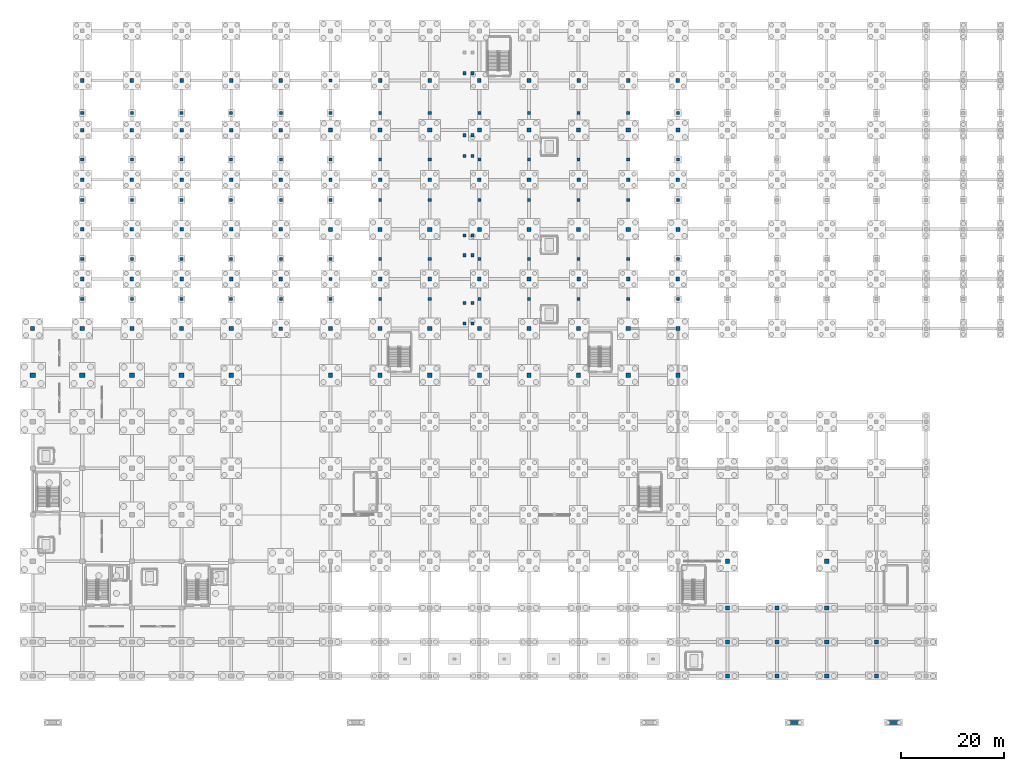
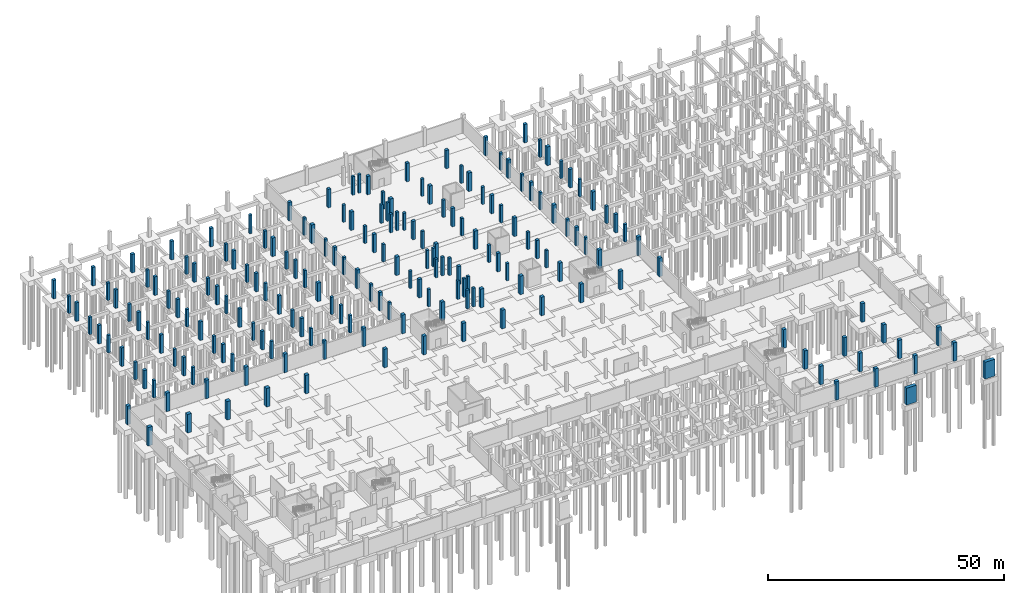
# One storey, part 19 of 39: 186 columns.
"""IFC4 building model written with IfcOpenShell, lengths in metres."""

from ifc_helpers import new_model, si_unit, direction, frame, origin, origin_2d, place, context, subcontext, project, spatial, rectangle, extrude, material, material_profile, profile_set, type_object, element, save


model = new_model("IFC4")

# Units and contexts
model_context = context("Model", 3, precision=1e-05, world=origin(), true_north=direction((0.0, 1.0)))
body_context = subcontext(model_context, "Body", "Model", "MODEL_VIEW")
ifc_project = project(units=[si_unit("LENGTHUNIT", "METRE"), si_unit("AREAUNIT", "SQUARE_METRE"), si_unit("VOLUMEUNIT", "CUBIC_METRE"), si_unit("PLANEANGLEUNIT", "RADIAN"), si_unit("MASSUNIT", "GRAM", prefix="KILO")], contexts=[model_context])

# Site, building, storey
site_placement = place(None, origin())
site = spatial("IfcSite", under=ifc_project, at=site_placement, CompositionType="ELEMENT")
building_placement = place(site_placement, origin())
building = spatial("IfcBuilding", under=site, at=building_placement, Name="Zarnetskaya Central Station", CompositionType="ELEMENT")
storey_placement = place(building_placement, frame((0.0, 0.0, -4.800048828125)))
storey = spatial("IfcBuildingStorey", under=building, at=storey_placement, Name="B1", CompositionType="ELEMENT", Elevation=-4.800048828125)

# Columns
ifc_material = material(Name="Concrete C35/45", Category="concrete")
ifc_material_profile_1 = material_profile(ifc_material, rectangle(XDim=1.0, YDim=0.800048828125, at=origin_2d()), Name="RC PIER 1000x800")
ifc_profile_set_1 = profile_set([ifc_material_profile_1], Name="Concrete C35/45")
column_type_1 = type_object("IfcColumnType", Name="COL-B1-PIER1", PredefinedType="COLUMN", material=ifc_profile_set_1)
for number, where, z_axis, x_axis, name in (
    (1, (0.0, 58.199951171875, 0.0), (0.0, 0.0, 1.0), (1.0, 0.0, 0.0), "Column A8 B1"),
    (2, (9.60009765625, 58.199951171875, 0.0), (0.0, 0.0, 1.0), (1.0, 0.0, 0.0), "Column B8 B1"),
):
    element("IfcColumn", number, at=place(storey_placement, frame(where, z_axis=z_axis, x_axis=x_axis)), inside=storey, type_object=column_type_1, Name=name, PredefinedType="COLUMN", context=body_context, shape_type="SweptSolid", body=[
        extrude(rectangle(XDim=1.0, YDim=0.800048828125, at=origin_2d()), origin(), (0.0, 0.0, 1.0), 4.800048828125),
    ])
ifc_material_profile_2 = material_profile(ifc_material, rectangle(XDim=0.89990234375, YDim=0.89990234375, at=origin_2d()), Name="RC 900x900")
ifc_profile_set_2 = profile_set([ifc_material_profile_2], Name="Concrete C35/45")
column_type_2 = type_object("IfcColumnType", Name="COL-B1-PIER2", PredefinedType="COLUMN", material=ifc_profile_set_2)
for number, where, z_axis, x_axis, name in (
    (3, (19.199951171875, 58.199951171875, 0.0), (0.0, 0.0, 1.0), (1.0, 0.0, 0.0), "Column C8 B1"),
    (4, (28.800048828125, 58.199951171875, 0.0), (0.0, 0.0, 1.0), (1.0, 0.0, 0.0), "Column D8 B1"),
):
    element("IfcColumn", number, at=place(storey_placement, frame(where, z_axis=z_axis, x_axis=x_axis)), inside=storey, type_object=column_type_2, Name=name, PredefinedType="COLUMN", context=body_context, shape_type="SweptSolid", body=[
        extrude(rectangle(XDim=0.89990234375, YDim=0.89990234375, at=origin_2d()), origin(), (0.0, 0.0, 1.0), 4.800048828125),
    ])
ifc_material_profile_3 = material_profile(ifc_material, rectangle(XDim=0.800048828125, YDim=0.800048828125, at=origin_2d()), Name="RC 800x800")
ifc_profile_set_3 = profile_set([ifc_material_profile_3], Name="Concrete C35/45")
column_type_3 = type_object("IfcColumnType", Name="COL-B1-PIER3", PredefinedType="COLUMN", material=ifc_profile_set_3)
for number, where, z_axis, x_axis, name in (
    (5, (0.0, 67.199951171875, 0.0), (0.0, 0.0, 1.0), (1.0, 0.0, 0.0), "Column A9 B1"),
    (6, (9.60009765625, 67.199951171875, 0.0), (0.0, 0.0, 1.0), (1.0, 0.0, 0.0), "Column B9 B1"),
    (7, (19.199951171875, 67.199951171875, 0.0), (0.0, 0.0, 1.0), (1.0, 0.0, 0.0), "Column C9 B1"),
    (8, (28.800048828125, 67.199951171875, 0.0), (0.0, 0.0, 1.0), (1.0, 0.0, 0.0), "Column D9 B1"),
    (9, (38.39990234375, 58.199951171875, 0.0), (0.0, 0.0, 1.0), (1.0, 0.0, 0.0), "Column E8 B1"),
    (10, (38.39990234375, 67.199951171875, 0.0), (0.0, 0.0, 1.0), (1.0, 0.0, 0.0), "Column E9 B1"),
    (11, (57.60009765625, 58.199951171875, 0.0), (0.0, 0.0, 1.0), (1.0, 0.0, 0.0), "Column G8 B1"),
    (12, (57.60009765625, 67.199951171875, 0.0), (0.0, 0.0, 1.0), (1.0, 0.0, 0.0), "Column G9 B1"),
    (13, (57.60009765625, 86.39990234375, 0.0), (0.0, 0.0, 1.0), (1.0, 0.0, 0.0), "Column G11 B1"),
    (14, (57.60009765625, 105.60009765625, 0.0), (0.0, 0.0, 1.0), (1.0, 0.0, 0.0), "Column G13 B1"),
    (15, (67.199951171875, 58.199951171875, 0.0), (0.0, 0.0, 1.0), (1.0, 0.0, 0.0), "Column H8 B1"),
    (16, (67.199951171875, 67.199951171875, 0.0), (0.0, 0.0, 1.0), (1.0, 0.0, 0.0), "Column H9 B1"),
    (17, (67.199951171875, 86.39990234375, 0.0), (0.0, 0.0, 1.0), (1.0, 0.0, 0.0), "Column H11 B1"),
    (18, (67.199951171875, 105.60009765625, 0.0), (0.0, 0.0, 1.0), (1.0, 0.0, 0.0), "Column H13 B1"),
    (19, (76.800048828125, 58.199951171875, 0.0), (0.0, 0.0, 1.0), (1.0, 0.0, 0.0), "Column J8 B1"),
    (20, (76.800048828125, 67.199951171875, 0.0), (0.0, 0.0, 1.0), (1.0, 0.0, 0.0), "Column J9 B1"),
    (21, (76.800048828125, 86.39990234375, 0.0), (0.0, 0.0, 1.0), (1.0, 0.0, 0.0), "Column J11 B1"),
    (22, (76.800048828125, 105.60009765625, 0.0), (0.0, 0.0, 1.0), (1.0, 0.0, 0.0), "Column J13 B1"),
    (23, (86.39990234375, 58.199951171875, 0.0), (0.0, 0.0, 1.0), (1.0, 0.0, 0.0), "Column K8 B1"),
    (24, (86.39990234375, 67.199951171875, 0.0), (0.0, 0.0, 1.0), (1.0, 0.0, 0.0), "Column K9 B1"),
    (25, (86.39990234375, 86.39990234375, 0.0), (0.0, 0.0, 1.0), (1.0, 0.0, 0.0), "Column K11 B1"),
    (26, (86.39990234375, 105.60009765625, 0.0), (0.0, 0.0, 1.0), (1.0, 0.0, 0.0), "Column K13 B1"),
    (27, (96.0, 58.199951171875, 0.0), (0.0, 0.0, 1.0), (1.0, 0.0, 0.0), "Column L8 B1"),
    (28, (96.0, 67.199951171875, 0.0), (0.0, 0.0, 1.0), (1.0, 0.0, 0.0), "Column L9 B1"),
    (29, (96.0, 86.39990234375, 0.0), (0.0, 0.0, 1.0), (1.0, 0.0, 0.0), "Column L11 B1"),
    (30, (96.0, 105.60009765625, 0.0), (0.0, 0.0, 1.0), (1.0, 0.0, 0.0), "Column L13 B1"),
    (31, (105.60009765625, 58.199951171875, 0.0), (0.0, 0.0, 1.0), (1.0, 0.0, 0.0), "Column M8 B1"),
    (32, (105.60009765625, 67.199951171875, 0.0), (0.0, 0.0, 1.0), (1.0, 0.0, 0.0), "Column M9 B1"),
    (33, (105.60009765625, 86.39990234375, 0.0), (0.0, 0.0, 1.0), (1.0, 0.0, 0.0), "Column M11 B1"),
    (34, (105.60009765625, 105.60009765625, 0.0), (0.0, 0.0, 1.0), (1.0, 0.0, 0.0), "Column M13 B1"),
    (35, (115.199951171875, 58.199951171875, 0.0), (0.0, 0.0, 1.0), (1.0, 0.0, 0.0), "Column N8 B1"),
    (36, (115.199951171875, 67.199951171875, 0.0), (0.0, 0.0, 1.0), (1.0, 0.0, 0.0), "Column N9 B1"),
    (37, (115.199951171875, 86.39990234375, 0.0), (0.0, 0.0, 1.0), (1.0, 0.0, 0.0), "Column N11 B1"),
    (38, (115.199951171875, 105.60009765625, 0.0), (0.0, 0.0, 1.0), (1.0, 0.0, 0.0), "Column N13 B1"),
    (39, (124.800048828125, 58.199951171875, 0.0), (0.0, 0.0, 1.0), (1.0, 0.0, 0.0), "Column P8 B1"),
    (40, (124.800048828125, 67.199951171875, 0.0), (0.0, 0.0, 1.0), (1.0, 0.0, 0.0), "Column P9 B1"),
    (41, (124.800048828125, 86.39990234375, 0.0), (0.0, 0.0, 1.0), (1.0, 0.0, 0.0), "Column P11 B1"),
    (42, (124.800048828125, 105.60009765625, 0.0), (0.0, 0.0, 1.0), (1.0, 0.0, 0.0), "Column P13 B1"),
    (43, (134.39990234375, 0.0, 0.0), (0.0, 0.0, 1.0), (1.0, 0.0, 0.0), "Column Q1 B1"),
    (44, (134.39990234375, 6.60009765625, 0.0), (0.0, 0.0, 1.0), (1.0, 0.0, 0.0), "Column Q2 B1"),
    (45, (134.39990234375, 13.199951171875, 0.0), (0.0, 0.0, 1.0), (1.0, 0.0, 0.0), "Column Q3 B1"),
    (46, (134.39990234375, 22.199951171875, 0.0), (0.0, 0.0, 1.0), (1.0, 0.0, 0.0), "Column Q4 B1"),
    (47, (144.0, 0.0, 0.0), (0.0, 0.0, 1.0), (1.0, 0.0, 0.0), "Column R1 B1"),
    (48, (144.0, 6.60009765625, 0.0), (0.0, 0.0, 1.0), (1.0, 0.0, 0.0), "Column R2 B1"),
    (49, (144.0, 13.199951171875, 0.0), (0.0, 0.0, 1.0), (1.0, 0.0, 0.0), "Column R3 B1"),
    (50, (153.60009765625, 0.0, 0.0), (0.0, 0.0, 1.0), (1.0, 0.0, 0.0), "Column S1 B1"),
    (51, (153.60009765625, 6.60009765625, 0.0), (0.0, 0.0, 1.0), (1.0, 0.0, 0.0), "Column S2 B1"),
    (52, (153.60009765625, 13.199951171875, 0.0), (0.0, 0.0, 1.0), (1.0, 0.0, 0.0), "Column S3 B1"),
    (53, (153.60009765625, 22.199951171875, 0.0), (0.0, 0.0, 1.0), (1.0, 0.0, 0.0), "Column S4 B1"),
    (54, (163.199951171875, 0.0, 0.0), (0.0, 0.0, 1.0), (1.0, 0.0, 0.0), "Column T1 B1"),
    (55, (163.199951171875, 6.60009765625, 0.0), (0.0, 0.0, 1.0), (1.0, 0.0, 0.0), "Column T2 B1"),
):
    element("IfcColumn", number, at=place(storey_placement, frame(where, z_axis=z_axis, x_axis=x_axis)), inside=storey, type_object=column_type_3, Name=name, PredefinedType="COLUMN", context=body_context, shape_type="SweptSolid", body=[
        extrude(rectangle(XDim=0.800048828125, YDim=0.800048828125, at=origin_2d()), origin(), (0.0, 0.0, 1.0), 4.800048828125),
    ])
ifc_material_profile_4 = material_profile(ifc_material, rectangle(XDim=0.699951171875, YDim=0.699951171875, at=origin_2d()), Name="RC 700x700")
ifc_profile_set_4 = profile_set([ifc_material_profile_4], Name="Concrete C35/45")
column_type_4 = type_object("IfcColumnType", Name="COL-B1-PIER4", PredefinedType="COLUMN", material=ifc_profile_set_4)
for number, where, z_axis, x_axis, name in (
    (56, (9.60009765625, 76.800048828125, 0.0), (0.0, 0.0, 1.0), (1.0, 0.0, 0.0), "Column B10 B1"),
    (57, (9.60009765625, 86.39990234375, 0.0), (0.0, 0.0, 1.0), (1.0, 0.0, 0.0), "Column B11 B1"),
    (58, (9.60009765625, 96.0, 0.0), (0.0, 0.0, 1.0), (1.0, 0.0, 0.0), "Column B12 B1"),
    (59, (9.60009765625, 105.60009765625, 0.0), (0.0, 0.0, 1.0), (1.0, 0.0, 0.0), "Column B13 B1"),
    (60, (9.60009765625, 115.199951171875, 0.0), (0.0, 0.0, 1.0), (1.0, 0.0, 0.0), "Column B14 B1"),
    (61, (19.199951171875, 76.800048828125, 0.0), (0.0, 0.0, 1.0), (1.0, 0.0, 0.0), "Column C10 B1"),
    (62, (19.199951171875, 86.39990234375, 0.0), (0.0, 0.0, 1.0), (1.0, 0.0, 0.0), "Column C11 B1"),
    (63, (19.199951171875, 96.0, 0.0), (0.0, 0.0, 1.0), (1.0, 0.0, 0.0), "Column C12 B1"),
    (64, (19.199951171875, 105.60009765625, 0.0), (0.0, 0.0, 1.0), (1.0, 0.0, 0.0), "Column C13 B1"),
    (65, (19.199951171875, 115.199951171875, 0.0), (0.0, 0.0, 1.0), (1.0, 0.0, 0.0), "Column C14 B1"),
    (66, (28.800048828125, 76.800048828125, 0.0), (0.0, 0.0, 1.0), (1.0, 0.0, 0.0), "Column D10 B1"),
    (67, (28.800048828125, 86.39990234375, 0.0), (0.0, 0.0, 1.0), (1.0, 0.0, 0.0), "Column D11 B1"),
    (68, (28.800048828125, 96.0, 0.0), (0.0, 0.0, 1.0), (1.0, 0.0, 0.0), "Column D12 B1"),
    (69, (28.800048828125, 105.60009765625, 0.0), (0.0, 0.0, 1.0), (1.0, 0.0, 0.0), "Column D13 B1"),
    (70, (28.800048828125, 115.199951171875, 0.0), (0.0, 0.0, 1.0), (1.0, 0.0, 0.0), "Column D14 B1"),
    (71, (38.39990234375, 76.800048828125, 0.0), (0.0, 0.0, 1.0), (1.0, 0.0, 0.0), "Column E10 B1"),
    (72, (38.39990234375, 86.39990234375, 0.0), (0.0, 0.0, 1.0), (1.0, 0.0, 0.0), "Column E11 B1"),
    (73, (38.39990234375, 96.0, 0.0), (0.0, 0.0, 1.0), (1.0, 0.0, 0.0), "Column E12 B1"),
    (74, (38.39990234375, 105.60009765625, 0.0), (0.0, 0.0, 1.0), (1.0, 0.0, 0.0), "Column E13 B1"),
    (75, (38.39990234375, 115.199951171875, 0.0), (0.0, 0.0, 1.0), (1.0, 0.0, 0.0), "Column E14 B1"),
    (76, (48.0, 67.199951171875, 0.0), (0.0, 0.0, 1.0), (1.0, 0.0, 0.0), "Column F9 B1"),
    (77, (48.0, 76.800048828125, 0.0), (0.0, 0.0, 1.0), (1.0, 0.0, 0.0), "Column F10 B1"),
    (78, (48.0, 86.39990234375, 0.0), (0.0, 0.0, 1.0), (1.0, 0.0, 0.0), "Column F11 B1"),
    (79, (48.0, 96.0, 0.0), (0.0, 0.0, 1.0), (1.0, 0.0, 0.0), "Column F12 B1"),
    (80, (48.0, 105.60009765625, 0.0), (0.0, 0.0, 1.0), (1.0, 0.0, 0.0), "Column F13 B1"),
    (81, (48.0, 115.199951171875, 0.0), (0.0, 0.0, 1.0), (1.0, 0.0, 0.0), "Column F14 B1"),
    (82, (67.199951171875, 76.800048828125, 0.0), (0.0, 0.0, 1.0), (1.0, 0.0, 0.0), "Column H10 B1"),
    (83, (67.199951171875, 96.0, 0.0), (0.0, 0.0, 1.0), (1.0, 0.0, 0.0), "Column H12 B1"),
    (84, (67.199951171875, 115.199951171875, 0.0), (0.0, 0.0, 1.0), (1.0, 0.0, 0.0), "Column H14 B1"),
    (85, (76.800048828125, 76.800048828125, 0.0), (0.0, 0.0, 1.0), (1.0, 0.0, 0.0), "Column J10 B1"),
    (86, (76.800048828125, 96.0, 0.0), (0.0, 0.0, 1.0), (1.0, 0.0, 0.0), "Column J12 B1"),
    (87, (76.800048828125, 115.199951171875, 0.0), (0.0, 0.0, 1.0), (1.0, 0.0, 0.0), "Column J14 B1"),
    (88, (86.39990234375, 76.800048828125, 0.0), (0.0, 0.0, 1.0), (1.0, 0.0, 0.0), "Column K10 B1"),
    (89, (86.39990234375, 96.0, 0.0), (0.0, 0.0, 1.0), (1.0, 0.0, 0.0), "Column K12 B1"),
    (90, (86.39990234375, 115.199951171875, 0.0), (0.0, 0.0, 1.0), (1.0, 0.0, 0.0), "Column K14 B1"),
    (91, (96.0, 76.800048828125, 0.0), (0.0, 0.0, 1.0), (1.0, 0.0, 0.0), "Column L10 B1"),
    (92, (96.0, 96.0, 0.0), (0.0, 0.0, 1.0), (1.0, 0.0, 0.0), "Column L12 B1"),
    (93, (96.0, 115.199951171875, 0.0), (0.0, 0.0, 1.0), (1.0, 0.0, 0.0), "Column L14 B1"),
    (94, (105.60009765625, 76.800048828125, 0.0), (0.0, 0.0, 1.0), (1.0, 0.0, 0.0), "Column M10 B1"),
    (95, (105.60009765625, 96.0, 0.0), (0.0, 0.0, 1.0), (1.0, 0.0, 0.0), "Column M12 B1"),
    (96, (105.60009765625, 115.199951171875, 0.0), (0.0, 0.0, 1.0), (1.0, 0.0, 0.0), "Column M14 B1"),
    (97, (115.199951171875, 76.800048828125, 0.0), (0.0, 0.0, 1.0), (1.0, 0.0, 0.0), "Column N10 B1"),
    (98, (115.199951171875, 96.0, 0.0), (0.0, 0.0, 1.0), (1.0, 0.0, 0.0), "Column N12 B1"),
    (99, (115.199951171875, 115.199951171875, 0.0), (0.0, 0.0, 1.0), (1.0, 0.0, 0.0), "Column N14 B1"),
    (100, (124.800048828125, 76.800048828125, 0.0), (0.0, 0.0, 1.0), (1.0, 0.0, 0.0), "Column P10 B1"),
    (101, (124.800048828125, 96.0, 0.0), (0.0, 0.0, 1.0), (1.0, 0.0, 0.0), "Column P12 B1"),
    (102, (124.800048828125, 115.199951171875, 0.0), (0.0, 0.0, 1.0), (1.0, 0.0, 0.0), "Column P14 B1"),
):
    element("IfcColumn", number, at=place(storey_placement, frame(where, z_axis=z_axis, x_axis=x_axis)), inside=storey, type_object=column_type_4, Name=name, PredefinedType="COLUMN", context=body_context, shape_type="SweptSolid", body=[
        extrude(rectangle(XDim=0.699951171875, YDim=0.699951171875, at=origin_2d()), origin(), (0.0, 0.0, 1.0), 4.800048828125),
    ])
ifc_material_profile_5 = material_profile(ifc_material, rectangle(XDim=0.60009765625, YDim=0.60009765625, at=origin_2d()), Name="RC 600x600")
ifc_profile_set_5 = profile_set([ifc_material_profile_5], Name="Concrete C35/45")
column_type_5 = type_object("IfcColumnType", Name="COL-B1-PIER5", PredefinedType="COLUMN", material=ifc_profile_set_5)
for number, where, z_axis, x_axis, name in (
    (103, (57.60009765625, 76.800048828125, 0.0), (0.0, 0.0, 1.0), (1.0, 0.0, 0.0), "Column G10 B1"),
    (104, (57.60009765625, 96.0, 0.0), (0.0, 0.0, 1.0), (1.0, 0.0, 0.0), "Column G12 B1"),
    (105, (57.60009765625, 115.199951171875, 0.0), (0.0, 0.0, 1.0), (1.0, 0.0, 0.0), "Column G14 B1"),
):
    element("IfcColumn", number, at=place(storey_placement, frame(where, z_axis=z_axis, x_axis=x_axis)), inside=storey, type_object=column_type_5, Name=name, PredefinedType="COLUMN", context=body_context, shape_type="SweptSolid", body=[
        extrude(rectangle(XDim=0.60009765625, YDim=0.60009765625, at=origin_2d()), origin(), (0.0, 0.0, 1.0), 4.800048828125),
    ])
for number, where, z_axis, x_axis, name in (
    (106, (9.60009765625, 72.89990234375, 0.0), (0.0, 0.0, 1.0), (1.0, 0.0, 0.0), "Platform substructure pier P1-BN"),
    (107, (19.199951171875, 72.89990234375, 0.0), (0.0, 0.0, 1.0), (1.0, 0.0, 0.0), "Platform substructure pier P1-CN"),
    (108, (28.800048828125, 72.89990234375, 0.0), (0.0, 0.0, 1.0), (1.0, 0.0, 0.0), "Platform substructure pier P1-DN"),
    (109, (38.39990234375, 72.89990234375, 0.0), (0.0, 0.0, 1.0), (1.0, 0.0, 0.0), "Platform substructure pier P1-EN"),
):
    element("IfcColumn", number, at=place(storey_placement, frame(where, z_axis=z_axis, x_axis=x_axis)), inside=storey, type_object=column_type_5, Name=name, PredefinedType="COLUMN", context=body_context, shape_type="SweptSolid", body=[
        extrude(rectangle(XDim=0.60009765625, YDim=0.60009765625, at=origin_2d()), origin(), (0.0, 0.0, 1.0), 4.510009765625),
    ])
for number, where, z_axis, x_axis, name in (
    (110, (48.0, 72.89990234375, 0.0), (0.0, 0.0, 1.0), (1.0, 0.0, 0.0), "Platform substructure pier P1-FN"),
    (111, (57.60009765625, 72.89990234375, 0.0), (0.0, 0.0, 1.0), (1.0, 0.0, 0.0), "Platform substructure pier P1-GN"),
    (112, (67.199951171875, 72.89990234375, 0.0), (0.0, 0.0, 1.0), (1.0, 0.0, 0.0), "Platform substructure pier P1-HN"),
    (113, (76.800048828125, 72.89990234375, 0.0), (0.0, 0.0, 1.0), (1.0, 0.0, 0.0), "Platform substructure pier P1-JN"),
    (114, (86.39990234375, 72.89990234375, 0.0), (0.0, 0.0, 1.0), (1.0, 0.0, 0.0), "Platform substructure pier P1-KN"),
    (115, (96.0, 72.89990234375, 0.0), (0.0, 0.0, 1.0), (1.0, 0.0, 0.0), "Platform substructure pier P1-LN"),
    (116, (105.60009765625, 72.89990234375, 0.0), (0.0, 0.0, 1.0), (1.0, 0.0, 0.0), "Platform substructure pier P1-MN"),
    (117, (115.199951171875, 72.89990234375, 0.0), (0.0, 0.0, 1.0), (1.0, 0.0, 0.0), "Platform substructure pier P1-NN"),
    (118, (124.800048828125, 72.89990234375, 0.0), (0.0, 0.0, 1.0), (1.0, 0.0, 0.0), "Platform substructure pier P1-PN"),
):
    element("IfcColumn", number, at=place(storey_placement, frame(where, z_axis=z_axis, x_axis=x_axis)), inside=storey, type_object=column_type_5, Name=name, PredefinedType="COLUMN", context=body_context, shape_type="SweptSolid", body=[
        extrude(rectangle(XDim=0.60009765625, YDim=0.60009765625, at=origin_2d()), origin(), (0.0, 0.0, 1.0), 4.5),
    ])
for number, where, z_axis, x_axis, name in (
    (119, (9.60009765625, 80.699951171875, 0.0), (0.0, 0.0, 1.0), (1.0, 0.0, 0.0), "Platform substructure pier P2-BS"),
    (120, (9.60009765625, 92.10009765625, 0.0), (0.0, 0.0, 1.0), (1.0, 0.0, 0.0), "Platform substructure pier P2-BN"),
    (121, (19.199951171875, 80.699951171875, 0.0), (0.0, 0.0, 1.0), (1.0, 0.0, 0.0), "Platform substructure pier P2-CS"),
    (122, (19.199951171875, 92.10009765625, 0.0), (0.0, 0.0, 1.0), (1.0, 0.0, 0.0), "Platform substructure pier P2-CN"),
    (123, (28.800048828125, 80.699951171875, 0.0), (0.0, 0.0, 1.0), (1.0, 0.0, 0.0), "Platform substructure pier P2-DS"),
    (124, (28.800048828125, 92.10009765625, 0.0), (0.0, 0.0, 1.0), (1.0, 0.0, 0.0), "Platform substructure pier P2-DN"),
    (125, (38.39990234375, 80.699951171875, 0.0), (0.0, 0.0, 1.0), (1.0, 0.0, 0.0), "Platform substructure pier P2-ES"),
    (126, (38.39990234375, 92.10009765625, 0.0), (0.0, 0.0, 1.0), (1.0, 0.0, 0.0), "Platform substructure pier P2-EN"),
):
    element("IfcColumn", number, at=place(storey_placement, frame(where, z_axis=z_axis, x_axis=x_axis)), inside=storey, type_object=column_type_5, Name=name, PredefinedType="COLUMN", context=body_context, shape_type="SweptSolid", body=[
        extrude(rectangle(XDim=0.60009765625, YDim=0.60009765625, at=origin_2d()), origin(), (0.0, 0.0, 1.0), 4.510009765625),
    ])
for number, where, z_axis, x_axis, name in (
    (127, (48.0, 80.699951171875, 0.0), (0.0, 0.0, 1.0), (1.0, 0.0, 0.0), "Platform substructure pier P2-FS"),
    (128, (48.0, 92.10009765625, 0.0), (0.0, 0.0, 1.0), (1.0, 0.0, 0.0), "Platform substructure pier P2-FN"),
    (129, (57.60009765625, 80.699951171875, 0.0), (0.0, 0.0, 1.0), (1.0, 0.0, 0.0), "Platform substructure pier P2-GS"),
    (130, (57.60009765625, 92.10009765625, 0.0), (0.0, 0.0, 1.0), (1.0, 0.0, 0.0), "Platform substructure pier P2-GN"),
    (131, (67.199951171875, 80.699951171875, 0.0), (0.0, 0.0, 1.0), (1.0, 0.0, 0.0), "Platform substructure pier P2-HS"),
    (132, (67.199951171875, 92.10009765625, 0.0), (0.0, 0.0, 1.0), (1.0, 0.0, 0.0), "Platform substructure pier P2-HN"),
    (133, (76.800048828125, 80.699951171875, 0.0), (0.0, 0.0, 1.0), (1.0, 0.0, 0.0), "Platform substructure pier P2-JS"),
    (134, (76.800048828125, 92.10009765625, 0.0), (0.0, 0.0, 1.0), (1.0, 0.0, 0.0), "Platform substructure pier P2-JN"),
    (135, (86.39990234375, 80.699951171875, 0.0), (0.0, 0.0, 1.0), (1.0, 0.0, 0.0), "Platform substructure pier P2-KS"),
    (136, (86.39990234375, 92.10009765625, 0.0), (0.0, 0.0, 1.0), (1.0, 0.0, 0.0), "Platform substructure pier P2-KN"),
    (137, (96.0, 80.699951171875, 0.0), (0.0, 0.0, 1.0), (1.0, 0.0, 0.0), "Platform substructure pier P2-LS"),
    (138, (96.0, 92.10009765625, 0.0), (0.0, 0.0, 1.0), (1.0, 0.0, 0.0), "Platform substructure pier P2-LN"),
    (139, (105.60009765625, 80.699951171875, 0.0), (0.0, 0.0, 1.0), (1.0, 0.0, 0.0), "Platform substructure pier P2-MS"),
    (140, (105.60009765625, 92.10009765625, 0.0), (0.0, 0.0, 1.0), (1.0, 0.0, 0.0), "Platform substructure pier P2-MN"),
    (141, (115.199951171875, 80.699951171875, 0.0), (0.0, 0.0, 1.0), (1.0, 0.0, 0.0), "Platform substructure pier P2-NS"),
    (142, (115.199951171875, 92.10009765625, 0.0), (0.0, 0.0, 1.0), (1.0, 0.0, 0.0), "Platform substructure pier P2-NN"),
    (143, (124.800048828125, 80.699951171875, 0.0), (0.0, 0.0, 1.0), (1.0, 0.0, 0.0), "Platform substructure pier P2-PS"),
    (144, (124.800048828125, 92.10009765625, 0.0), (0.0, 0.0, 1.0), (1.0, 0.0, 0.0), "Platform substructure pier P2-PN"),
):
    element("IfcColumn", number, at=place(storey_placement, frame(where, z_axis=z_axis, x_axis=x_axis)), inside=storey, type_object=column_type_5, Name=name, PredefinedType="COLUMN", context=body_context, shape_type="SweptSolid", body=[
        extrude(rectangle(XDim=0.60009765625, YDim=0.60009765625, at=origin_2d()), origin(), (0.0, 0.0, 1.0), 4.5),
    ])
for number, where, z_axis, x_axis, name in (
    (145, (9.60009765625, 99.89990234375, 0.0), (0.0, 0.0, 1.0), (1.0, 0.0, 0.0), "Platform substructure pier P3-BS"),
    (146, (9.60009765625, 108.89990234375, 0.0), (0.0, 0.0, 1.0), (1.0, 0.0, 0.0), "Platform substructure pier P3-BN"),
    (147, (19.199951171875, 99.89990234375, 0.0), (0.0, 0.0, 1.0), (1.0, 0.0, 0.0), "Platform substructure pier P3-CS"),
    (148, (19.199951171875, 108.89990234375, 0.0), (0.0, 0.0, 1.0), (1.0, 0.0, 0.0), "Platform substructure pier P3-CN"),
    (149, (28.800048828125, 99.89990234375, 0.0), (0.0, 0.0, 1.0), (1.0, 0.0, 0.0), "Platform substructure pier P3-DS"),
    (150, (28.800048828125, 108.89990234375, 0.0), (0.0, 0.0, 1.0), (1.0, 0.0, 0.0), "Platform substructure pier P3-DN"),
    (151, (38.39990234375, 99.89990234375, 0.0), (0.0, 0.0, 1.0), (1.0, 0.0, 0.0), "Platform substructure pier P3-ES"),
    (152, (38.39990234375, 108.89990234375, 0.0), (0.0, 0.0, 1.0), (1.0, 0.0, 0.0), "Platform substructure pier P3-EN"),
):
    element("IfcColumn", number, at=place(storey_placement, frame(where, z_axis=z_axis, x_axis=x_axis)), inside=storey, type_object=column_type_5, Name=name, PredefinedType="COLUMN", context=body_context, shape_type="SweptSolid", body=[
        extrude(rectangle(XDim=0.60009765625, YDim=0.60009765625, at=origin_2d()), origin(), (0.0, 0.0, 1.0), 4.510009765625),
    ])
for number, where, z_axis, x_axis, name in (
    (153, (48.0, 99.89990234375, 0.0), (0.0, 0.0, 1.0), (1.0, 0.0, 0.0), "Platform substructure pier P3-FS"),
    (154, (48.0, 108.89990234375, 0.0), (0.0, 0.0, 1.0), (1.0, 0.0, 0.0), "Platform substructure pier P3-FN"),
    (155, (57.60009765625, 99.89990234375, 0.0), (0.0, 0.0, 1.0), (1.0, 0.0, 0.0), "Platform substructure pier P3-GS"),
    (156, (57.60009765625, 108.89990234375, 0.0), (0.0, 0.0, 1.0), (1.0, 0.0, 0.0), "Platform substructure pier P3-GN"),
    (157, (67.199951171875, 99.89990234375, 0.0), (0.0, 0.0, 1.0), (1.0, 0.0, 0.0), "Platform substructure pier P3-HS"),
    (158, (67.199951171875, 108.89990234375, 0.0), (0.0, 0.0, 1.0), (1.0, 0.0, 0.0), "Platform substructure pier P3-HN"),
    (159, (76.800048828125, 99.89990234375, 0.0), (0.0, 0.0, 1.0), (1.0, 0.0, 0.0), "Platform substructure pier P3-JS"),
    (160, (76.800048828125, 108.89990234375, 0.0), (0.0, 0.0, 1.0), (1.0, 0.0, 0.0), "Platform substructure pier P3-JN"),
    (161, (86.39990234375, 99.89990234375, 0.0), (0.0, 0.0, 1.0), (1.0, 0.0, 0.0), "Platform substructure pier P3-KS"),
    (162, (86.39990234375, 108.89990234375, 0.0), (0.0, 0.0, 1.0), (1.0, 0.0, 0.0), "Platform substructure pier P3-KN"),
    (163, (96.0, 99.89990234375, 0.0), (0.0, 0.0, 1.0), (1.0, 0.0, 0.0), "Platform substructure pier P3-LS"),
    (164, (96.0, 108.89990234375, 0.0), (0.0, 0.0, 1.0), (1.0, 0.0, 0.0), "Platform substructure pier P3-LN"),
    (165, (105.60009765625, 99.89990234375, 0.0), (0.0, 0.0, 1.0), (1.0, 0.0, 0.0), "Platform substructure pier P3-MS"),
    (166, (105.60009765625, 108.89990234375, 0.0), (0.0, 0.0, 1.0), (1.0, 0.0, 0.0), "Platform substructure pier P3-MN"),
    (167, (115.199951171875, 99.89990234375, 0.0), (0.0, 0.0, 1.0), (1.0, 0.0, 0.0), "Platform substructure pier P3-NS"),
    (168, (115.199951171875, 108.89990234375, 0.0), (0.0, 0.0, 1.0), (1.0, 0.0, 0.0), "Platform substructure pier P3-NN"),
    (169, (124.800048828125, 99.89990234375, 0.0), (0.0, 0.0, 1.0), (1.0, 0.0, 0.0), "Platform substructure pier P3-PS"),
    (170, (124.800048828125, 108.89990234375, 0.0), (0.0, 0.0, 1.0), (1.0, 0.0, 0.0), "Platform substructure pier P3-PN"),
):
    element("IfcColumn", number, at=place(storey_placement, frame(where, z_axis=z_axis, x_axis=x_axis)), inside=storey, type_object=column_type_5, Name=name, PredefinedType="COLUMN", context=body_context, shape_type="SweptSolid", body=[
        extrude(rectangle(XDim=0.60009765625, YDim=0.60009765625, at=origin_2d()), origin(), (0.0, 0.0, 1.0), 4.5),
    ])
for number, where, z_axis, x_axis, name in (
    (171, (83.530029296875, 68.199951171875, 0.0), (0.0, 0.0, 1.0), (1.0, 0.0, 0.0), "Stair ST-P1 substructure pier 11"),
    (172, (83.530029296875, 72.199951171875, 0.0), (0.0, 0.0, 1.0), (1.0, 0.0, 0.0), "Stair ST-P1 substructure pier 12"),
    (173, (85.050048828125, 68.199951171875, 0.0), (0.0, 0.0, 1.0), (1.0, 0.0, 0.0), "Stair ST-P1 substructure pier 21"),
    (174, (85.050048828125, 72.199951171875, 0.0), (0.0, 0.0, 1.0), (1.0, 0.0, 0.0), "Stair ST-P1 substructure pier 22"),
    (175, (83.530029296875, 81.39990234375, 0.0), (0.0, 0.0, 1.0), (1.0, 0.0, 0.0), "Stair ST-P2 substructure pier 11"),
    (176, (83.530029296875, 85.199951171875, 0.0), (0.0, 0.0, 1.0), (1.0, 0.0, 0.0), "Stair ST-P2 substructure pier 12"),
    (177, (85.050048828125, 81.39990234375, 0.0), (0.0, 0.0, 1.0), (1.0, 0.0, 0.0), "Stair ST-P2 substructure pier 21"),
    (178, (85.050048828125, 85.199951171875, 0.0), (0.0, 0.0, 1.0), (1.0, 0.0, 0.0), "Stair ST-P2 substructure pier 22"),
    (179, (83.530029296875, 100.60009765625, 0.0), (0.0, 0.0, 1.0), (1.0, 0.0, 0.0), "Stair ST-P3 substructure pier 11"),
    (180, (83.530029296875, 104.60009765625, 0.0), (0.0, 0.0, 1.0), (1.0, 0.0, 0.0), "Stair ST-P3 substructure pier 12"),
    (181, (85.050048828125, 100.60009765625, 0.0), (0.0, 0.0, 1.0), (1.0, 0.0, 0.0), "Stair ST-P3 substructure pier 21"),
    (182, (85.050048828125, 104.60009765625, 0.0), (0.0, 0.0, 1.0), (1.0, 0.0, 0.0), "Stair ST-P3 substructure pier 22"),
    (183, (83.530029296875, 116.60009765625, 0.0), (0.0, 0.0, 1.0), (1.0, 0.0, 0.0), "Stair ST-P4 substructure pier 11"),
    (184, (85.050048828125, 116.60009765625, 0.0), (0.0, 0.0, 1.0), (1.0, 0.0, 0.0), "Stair ST-P4 substructure pier 21"),
):
    element("IfcColumn", number, at=place(storey_placement, frame(where, z_axis=z_axis, x_axis=x_axis)), inside=storey, type_object=column_type_5, Name=name, PredefinedType="COLUMN", context=body_context, shape_type="SweptSolid", body=[
        extrude(rectangle(XDim=0.60009765625, YDim=0.60009765625, at=origin_2d()), origin(), (0.0, 0.0, 1.0), 4.800048828125),
    ])
ifc_material_profile_6 = material_profile(ifc_material, rectangle(XDim=2.39990234375, YDim=0.800048828125, at=origin_2d()), Name="RC PIER 2400x800")
ifc_profile_set_6 = profile_set([ifc_material_profile_6], Name="Concrete C35/45")
column_type_6 = type_object("IfcColumnType", Name="COL-B1-RMPPIER", PredefinedType="COLUMN", material=ifc_profile_set_6)
for number, where, z_axis, x_axis, name in (
    (185, (147.300048828125, -9.0, 0.0), (0.0, 0.0, 1.0), (1.0, 0.0, 0.0), "Ramp landing support pier RM-04"),
    (186, (166.5, -9.0, 0.0), (0.0, 0.0, 1.0), (1.0, 0.0, 0.0), "Ramp landing support pier RM-05"),
):
    element("IfcColumn", number, at=place(storey_placement, frame(where, z_axis=z_axis, x_axis=x_axis)), inside=storey, type_object=column_type_6, Name=name, PredefinedType="COLUMN", context=body_context, shape_type="SweptSolid", body=[
        extrude(rectangle(XDim=2.39990234375, YDim=0.800048828125, at=origin_2d()), origin(), (0.0, 0.0, 1.0), 4.35009765625),
    ])

save(model, "model.ifc")
